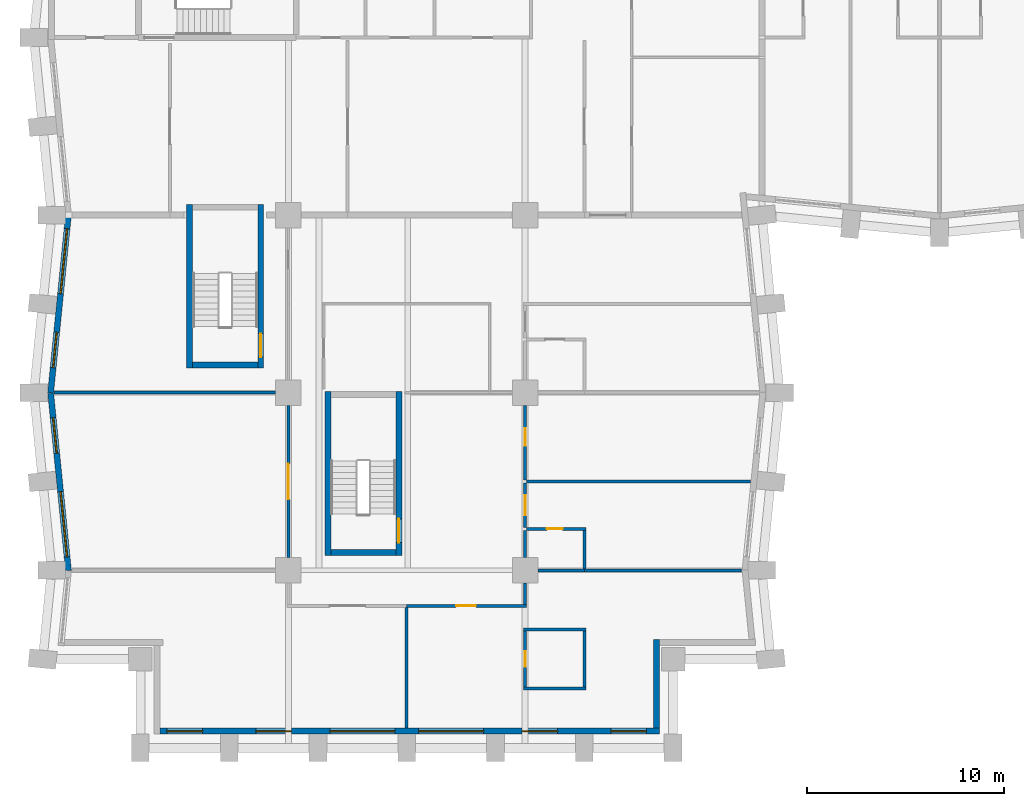
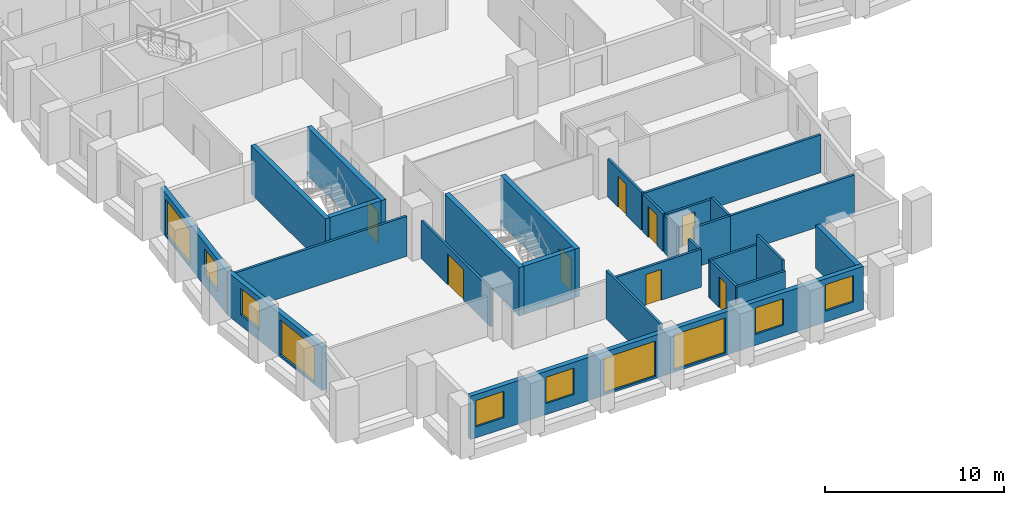
# One storey, part 3 of 12: 27 walls, 10 windows, 8 doors, 18 openings.
"""IFC4 building model written with IfcOpenShell, lengths in metres."""

from ifc_helpers import new_model, si_unit, direction, frame, frame_2d, origin, place, context, subcontext, project, spatial, rectangle, extrude, material, layer, layer_set, type_object, element, fill, save


model = new_model("IFC4")

# Units and contexts
model_context = context("Model", 3, precision=1e-05, world=origin(), true_north=direction((0.0, 1.0)))
body_context = subcontext(model_context, "Body", "Model", "MODEL_VIEW")
ifc_project = project(units=[si_unit("LENGTHUNIT", "METRE"), si_unit("AREAUNIT", "SQUARE_METRE"), si_unit("VOLUMEUNIT", "CUBIC_METRE"), si_unit("PLANEANGLEUNIT", "RADIAN"), si_unit("MASSUNIT", "GRAM", prefix="KILO")], contexts=[model_context])

# Site, building, storey
site_placement = place(None, origin())
site = spatial("IfcSite", under=ifc_project, at=site_placement, CompositionType="ELEMENT")
building_placement = place(site_placement, origin())
building = spatial("IfcBuilding", under=site, at=building_placement, Name="Brondeck Convention Tower", CompositionType="ELEMENT")
storey_placement = place(building_placement, frame((0.0, 0.0, 80.699951171875)))
storey = spatial("IfcBuildingStorey", under=building, at=storey_placement, Name="L18", CompositionType="ELEMENT", Elevation=80.699951171875)

# Wall, openings, windows
ifc_material_1 = material(Name="Precast concrete C50/60 bronze finish", Category="concrete")
ifc_layer_1 = layer(ifc_material_1, 0.070068359375, Name="Bronze precast facing")
ifc_material_2 = material(Name="Mineral wool")
ifc_layer_2 = layer(ifc_material_2, 0.159912109375, Name="Insulation")
ifc_material_3 = material(Name="Concrete C35/45", Category="concrete")
ifc_layer_3 = layer(ifc_material_3, 0.070068359375, Name="Backing")
ifc_layer_set_1 = layer_set([ifc_layer_1, ifc_layer_2, ifc_layer_3], Name="External infill wall, precast concrete C50/60 bronze facing")
wall_type_1 = type_object("IfcWallType", Name="External infill wall, precast concrete C50/60 bronze facing", PredefinedType="SOLIDWALL", material=ifc_layer_set_1)
wall_1_placement = place(storey_placement, frame((30.800048828125, 0.85009765625, 0.0), z_axis=(0.0, 0.0, 1.0), x_axis=(-1.0, 0.0, 0.0)))
wall_1 = element("IfcWall", 1, at=wall_1_placement, inside=storey, type_object=wall_type_1, Name="ENV-EW-L18-P0-B-S0-01", PredefinedType="SOLIDWALL", context=body_context, shape_type="SweptSolid", body=[
    extrude(rectangle(XDim=25.300048828125, YDim=0.300048828125, at=frame_2d((12.64990234375, 0.0))), origin(), (0.0, 0.0, 1.0), 2.949951171875),
])
opening_1_placement = place(wall_1_placement, frame((0.64990234375, 0.0, 0.75)))
opening_1 = element("IfcOpeningElement", 2, at=opening_1_placement, cuts=wall_1, Name="Opening W10", PredefinedType="OPENING", context=body_context, shape_type="SweptSolid", body=[
    extrude(rectangle(XDim=1.800048828125, YDim=1.800048828125, at=frame_2d((0.89990234375, 0.89990234375))), frame((0.0, 0.159912109375, 0.0), z_axis=(0.0, -1.0, 0.0), x_axis=(1.0, 0.0, 0.0)), (0.0, 0.0, 1.0), 0.320068359375),
])
opening_2_placement = place(wall_1_placement, frame((5.14990234375, 0.0, 0.75)))
opening_2 = element("IfcOpeningElement", 3, at=opening_2_placement, cuts=wall_1, Name="Opening W10", PredefinedType="OPENING", context=body_context, shape_type="SweptSolid", body=[
    extrude(rectangle(XDim=1.800048828125, YDim=1.800048828125, at=frame_2d((0.89990234375, 0.89990234375))), frame((0.0, 0.159912109375, 0.0), z_axis=(0.0, -1.0, 0.0), x_axis=(1.0, 0.0, 0.0)), (0.0, 0.0, 1.0), 0.320068359375),
])
opening_3_placement = place(wall_1_placement, frame((8.89990234375, 0.0, 0.14990234375)))
opening_3 = element("IfcOpeningElement", 4, at=opening_3_placement, cuts=wall_1, Name="Opening W9", PredefinedType="OPENING", context=body_context, shape_type="SweptSolid", body=[
    extrude(rectangle(XDim=3.300048828125, YDim=2.39990234375, at=frame_2d((1.64990234375, 1.199951171875))), frame((0.0, 0.159912109375, 0.0), z_axis=(0.0, -1.0, 0.0), x_axis=(1.0, 0.0, 0.0)), (0.0, 0.0, 1.0), 0.320068359375),
])
opening_4_placement = place(wall_1_placement, frame((13.39990234375, 0.0, 0.14990234375)))
opening_4 = element("IfcOpeningElement", 5, at=opening_4_placement, cuts=wall_1, Name="Opening W9", PredefinedType="OPENING", context=body_context, shape_type="SweptSolid", body=[
    extrude(rectangle(XDim=3.300048828125, YDim=2.39990234375, at=frame_2d((1.64990234375, 1.199951171875))), frame((0.0, 0.159912109375, 0.0), z_axis=(0.0, -1.0, 0.0), x_axis=(1.0, 0.0, 0.0)), (0.0, 0.0, 1.0), 0.320068359375),
])
opening_5_placement = place(wall_1_placement, frame((18.64990234375, 0.0, 0.75)))
opening_5 = element("IfcOpeningElement", 6, at=opening_5_placement, cuts=wall_1, Name="Opening W10", PredefinedType="OPENING", context=body_context, shape_type="SweptSolid", body=[
    extrude(rectangle(XDim=1.800048828125, YDim=1.800048828125, at=frame_2d((0.89990234375, 0.89990234375))), frame((0.0, 0.159912109375, 0.0), z_axis=(0.0, -1.0, 0.0), x_axis=(1.0, 0.0, 0.0)), (0.0, 0.0, 1.0), 0.320068359375),
])
opening_6_placement = place(wall_1_placement, frame((23.14990234375, 0.0, 0.75)))
opening_6 = element("IfcOpeningElement", 7, at=opening_6_placement, cuts=wall_1, Name="Opening W10", PredefinedType="OPENING", context=body_context, shape_type="SweptSolid", body=[
    extrude(rectangle(XDim=1.800048828125, YDim=1.800048828125, at=frame_2d((0.89990234375, 0.89990234375))), frame((0.0, 0.159912109375, 0.0), z_axis=(0.0, -1.0, 0.0), x_axis=(1.0, 0.0, 0.0)), (0.0, 0.0, 1.0), 0.320068359375),
])
ifc_material_4 = material(Name="Bronze tinted double glazing", Category="glass")
window_type_1 = type_object("IfcWindowType", Name="Glazed flute window, bronze tinted", PartitioningType="SINGLE_PANEL", PredefinedType="WINDOW", material=ifc_material_4)
window_1_placement = place(opening_3_placement, origin())
window_1 = element("IfcWindow", 8, at=window_1_placement, inside=storey, type_object=window_type_1, Name="ENV-WN-L18-P0-B-S0-04", OverallHeight=2.39990234375, OverallWidth=3.300048828125, PartitioningType="SINGLE_PANEL", PredefinedType="WINDOW", context=body_context, shape_type="SweptSolid", body=[
    extrude(rectangle(XDim=3.300048828125, YDim=2.39990234375, at=frame_2d((1.64990234375, 1.199951171875))), frame((0.0, 0.030029296875, 0.0), z_axis=(0.0, -1.0, 0.0), x_axis=(1.0, 0.0, 0.0)), (0.0, 0.0, 1.0), 0.06005859375),
])
fill(opening_3, window_1)
window_2_placement = place(opening_4_placement, origin())
window_2 = element("IfcWindow", 9, at=window_2_placement, inside=storey, type_object=window_type_1, Name="ENV-WN-L18-P0-B-S0-03", OverallHeight=2.39990234375, OverallWidth=3.300048828125, PartitioningType="SINGLE_PANEL", PredefinedType="WINDOW", context=body_context, shape_type="SweptSolid", body=[
    extrude(rectangle(XDim=3.300048828125, YDim=2.39990234375, at=frame_2d((1.64990234375, 1.199951171875))), frame((0.0, 0.030029296875, 0.0), z_axis=(0.0, -1.0, 0.0), x_axis=(1.0, 0.0, 0.0)), (0.0, 0.0, 1.0), 0.06005859375),
])
fill(opening_4, window_2)
window_type_2 = type_object("IfcWindowType", Name="Punched window, bronze tinted", PartitioningType="SINGLE_PANEL", PredefinedType="WINDOW", material=ifc_material_4)
window_3_placement = place(opening_1_placement, origin())
window_3 = element("IfcWindow", 10, at=window_3_placement, inside=storey, type_object=window_type_2, Name="ENV-WN-L18-P0-B-S0-06", OverallHeight=1.800048828125, OverallWidth=1.800048828125, PartitioningType="SINGLE_PANEL", PredefinedType="WINDOW", context=body_context, shape_type="SweptSolid", body=[
    extrude(rectangle(XDim=1.800048828125, YDim=1.800048828125, at=frame_2d((0.89990234375, 0.89990234375))), frame((0.0, 0.030029296875, 0.0), z_axis=(0.0, -1.0, 0.0), x_axis=(1.0, 0.0, 0.0)), (0.0, 0.0, 1.0), 0.06005859375),
])
fill(opening_1, window_3)
window_4_placement = place(opening_2_placement, origin())
window_4 = element("IfcWindow", 11, at=window_4_placement, inside=storey, type_object=window_type_2, Name="ENV-WN-L18-P0-B-S0-05", OverallHeight=1.800048828125, OverallWidth=1.800048828125, PartitioningType="SINGLE_PANEL", PredefinedType="WINDOW", context=body_context, shape_type="SweptSolid", body=[
    extrude(rectangle(XDim=1.800048828125, YDim=1.800048828125, at=frame_2d((0.89990234375, 0.89990234375))), frame((0.0, 0.030029296875, 0.0), z_axis=(0.0, -1.0, 0.0), x_axis=(1.0, 0.0, 0.0)), (0.0, 0.0, 1.0), 0.06005859375),
])
fill(opening_2, window_4)
window_5_placement = place(opening_5_placement, origin())
window_5 = element("IfcWindow", 12, at=window_5_placement, inside=storey, type_object=window_type_2, Name="ENV-WN-L18-P0-B-S0-02", OverallHeight=1.800048828125, OverallWidth=1.800048828125, PartitioningType="SINGLE_PANEL", PredefinedType="WINDOW", context=body_context, shape_type="SweptSolid", body=[
    extrude(rectangle(XDim=1.800048828125, YDim=1.800048828125, at=frame_2d((0.89990234375, 0.89990234375))), frame((0.0, 0.030029296875, 0.0), z_axis=(0.0, -1.0, 0.0), x_axis=(1.0, 0.0, 0.0)), (0.0, 0.0, 1.0), 0.06005859375),
])
fill(opening_5, window_5)
window_6_placement = place(opening_6_placement, origin())
window_6 = element("IfcWindow", 13, at=window_6_placement, inside=storey, type_object=window_type_2, Name="ENV-WN-L18-P0-B-S0-01", OverallHeight=1.800048828125, OverallWidth=1.800048828125, PartitioningType="SINGLE_PANEL", PredefinedType="WINDOW", context=body_context, shape_type="SweptSolid", body=[
    extrude(rectangle(XDim=1.800048828125, YDim=1.800048828125, at=frame_2d((0.89990234375, 0.89990234375))), frame((0.0, 0.030029296875, 0.0), z_axis=(0.0, -1.0, 0.0), x_axis=(1.0, 0.0, 0.0)), (0.0, 0.0, 1.0), 0.06005859375),
])
fill(opening_6, window_6)

# Wall
wall_2_placement = place(storey_placement, frame((30.64990234375, 5.5, 0.0), z_axis=(0.0, 0.0, 1.0), x_axis=(0.0, -1.0, 0.0)))
element("IfcWall", 14, at=wall_2_placement, inside=storey, type_object=wall_type_1, Name="ENV-EW-L18-P0-NC-SEB0-01", PredefinedType="SOLIDWALL", context=body_context, shape_type="SweptSolid", body=[
    extrude(rectangle(XDim=4.501953125, YDim=0.300048828125, at=frame_2d((2.2509765625, 0.0))), origin(), (0.0, 0.0, 1.0), 2.949951171875),
])

# Wall, openings, windows
wall_3_placement = place(storey_placement, frame((-0.04736328125, 17.985107421875, 0.0), z_axis=(0.0, 0.0, 1.0), x_axis=(0.099522457379, 0.995035316196, 0.0)))
wall_3 = element("IfcWall", 15, at=wall_3_placement, inside=storey, type_object=wall_type_1, Name="ENV-EW-L18-P0-B-W-08", PredefinedType="SOLIDWALL", context=body_context, shape_type="SweptSolid", body=[
    extrude(rectangle(XDim=9.030029296875, YDim=0.300048828125, at=frame_2d((4.51513671875, 0.0))), origin(), (0.0, 0.0, 1.0), 2.949951171875),
])
opening_7_placement = place(wall_3_placement, frame((1.291259765625, 0.0, 0.75)))
opening_7 = element("IfcOpeningElement", 16, at=opening_7_placement, cuts=wall_3, Name="Opening W10", PredefinedType="OPENING", context=body_context, shape_type="SweptSolid", body=[
    extrude(rectangle(XDim=1.800048828125, YDim=1.800048828125, at=frame_2d((0.89990234375, 0.89990234375))), frame((0.0, 0.159912109375, 0.0), z_axis=(0.0, -1.0, 0.0), x_axis=(1.0, 0.0, 0.0)), (0.0, 0.0, 1.0), 0.320068359375),
])
opening_8_placement = place(wall_3_placement, frame((5.063720703125, 0.0, 0.14990234375)))
opening_8 = element("IfcOpeningElement", 17, at=opening_8_placement, cuts=wall_3, Name="Opening W9", PredefinedType="OPENING", context=body_context, shape_type="SweptSolid", body=[
    extrude(rectangle(XDim=3.300048828125, YDim=2.39990234375, at=frame_2d((1.64990234375, 1.199951171875))), frame((0.0, 0.159912109375, 0.0), z_axis=(0.0, -1.0, 0.0), x_axis=(1.0, 0.0, 0.0)), (0.0, 0.0, 1.0), 0.320068359375),
])
window_7_placement = place(opening_8_placement, origin())
window_7 = element("IfcWindow", 18, at=window_7_placement, inside=storey, type_object=window_type_1, Name="ENV-WN-L18-P0-B-W-08", OverallHeight=2.39990234375, OverallWidth=3.300048828125, PartitioningType="SINGLE_PANEL", PredefinedType="WINDOW", context=body_context, shape_type="SweptSolid", body=[
    extrude(rectangle(XDim=3.300048828125, YDim=2.39990234375, at=frame_2d((1.64990234375, 1.199951171875))), frame((0.0, 0.030029296875, 0.0), z_axis=(0.0, -1.0, 0.0), x_axis=(1.0, 0.0, 0.0)), (0.0, 0.0, 1.0), 0.06005859375),
])
fill(opening_8, window_7)
window_8_placement = place(opening_7_placement, origin())
window_8 = element("IfcWindow", 19, at=window_8_placement, inside=storey, type_object=window_type_2, Name="ENV-WN-L18-P0-B-W-09", OverallHeight=1.800048828125, OverallWidth=1.800048828125, PartitioningType="SINGLE_PANEL", PredefinedType="WINDOW", context=body_context, shape_type="SweptSolid", body=[
    extrude(rectangle(XDim=1.800048828125, YDim=1.800048828125, at=frame_2d((0.89990234375, 0.89990234375))), frame((0.0, 0.030029296875, 0.0), z_axis=(0.0, -1.0, 0.0), x_axis=(1.0, 0.0, 0.0)), (0.0, 0.0, 1.0), 0.06005859375),
])
fill(opening_7, window_8)

wall_4_placement = place(storey_placement, frame((0.855712890625, 8.985107421875, 0.0), z_axis=(0.0, 0.0, 1.0), x_axis=(-0.099495688264, 0.995037993253, 0.0)))
wall_4 = element("IfcWall", 20, at=wall_4_placement, inside=storey, type_object=wall_type_1, Name="ENV-EW-L18-P0-B-W-10", PredefinedType="SOLIDWALL", context=body_context, shape_type="SweptSolid", body=[
    extrude(rectangle(XDim=9.030029296875, YDim=0.300048828125, at=frame_2d((4.51513671875, 0.0))), origin(), (0.0, 0.0, 1.0), 2.949951171875),
])
opening_9_placement = place(wall_4_placement, frame((0.711181640625, 0.0, 0.14990234375)))
opening_9 = element("IfcOpeningElement", 21, at=opening_9_placement, cuts=wall_4, Name="Opening W9", PredefinedType="OPENING", context=body_context, shape_type="SweptSolid", body=[
    extrude(rectangle(XDim=3.300048828125, YDim=2.39990234375, at=frame_2d((1.64990234375, 1.199951171875))), frame((0.0, 0.159912109375, 0.0), z_axis=(0.0, -1.0, 0.0), x_axis=(1.0, 0.0, 0.0)), (0.0, 0.0, 1.0), 0.320068359375),
])
opening_10_placement = place(wall_4_placement, frame((5.983642578125, 0.0, 0.75)))
opening_10 = element("IfcOpeningElement", 22, at=opening_10_placement, cuts=wall_4, Name="Opening W10", PredefinedType="OPENING", context=body_context, shape_type="SweptSolid", body=[
    extrude(rectangle(XDim=1.800048828125, YDim=1.800048828125, at=frame_2d((0.89990234375, 0.89990234375))), frame((0.0, 0.159912109375, 0.0), z_axis=(0.0, -1.0, 0.0), x_axis=(1.0, 0.0, 0.0)), (0.0, 0.0, 1.0), 0.320068359375),
])
window_9_placement = place(opening_9_placement, origin())
window_9 = element("IfcWindow", 23, at=window_9_placement, inside=storey, type_object=window_type_1, Name="ENV-WN-L18-P0-B-W-11", OverallHeight=2.39990234375, OverallWidth=3.300048828125, PartitioningType="SINGLE_PANEL", PredefinedType="WINDOW", context=body_context, shape_type="SweptSolid", body=[
    extrude(rectangle(XDim=3.300048828125, YDim=2.39990234375, at=frame_2d((1.64990234375, 1.199951171875))), frame((0.0, 0.030029296875, 0.0), z_axis=(0.0, -1.0, 0.0), x_axis=(1.0, 0.0, 0.0)), (0.0, 0.0, 1.0), 0.06005859375),
])
fill(opening_9, window_9)
window_10_placement = place(opening_10_placement, origin())
window_10 = element("IfcWindow", 24, at=window_10_placement, inside=storey, type_object=window_type_2, Name="ENV-WN-L18-P0-B-W-10", OverallHeight=1.800048828125, OverallWidth=1.800048828125, PartitioningType="SINGLE_PANEL", PredefinedType="WINDOW", context=body_context, shape_type="SweptSolid", body=[
    extrude(rectangle(XDim=1.800048828125, YDim=1.800048828125, at=frame_2d((0.89990234375, 0.89990234375))), frame((0.0, 0.030029296875, 0.0), z_axis=(0.0, -1.0, 0.0), x_axis=(1.0, 0.0, 0.0)), (0.0, 0.0, 1.0), 0.06005859375),
])
fill(opening_10, window_10)

# Walls
ifc_material_5 = material(Name="Double gypsum board acoustic wall")
ifc_layer_4 = layer(ifc_material_5, 0.14990234375)
ifc_layer_set_2 = layer_set([ifc_layer_4], Name="Guest room party wall 150")
wall_type_2 = type_object("IfcWallType", Name="Guest room party wall 150", PredefinedType="PARTITIONING", material=ifc_layer_set_2)
wall_5_placement = place(storey_placement, frame((23.925048828125, 3.0, 0.0), z_axis=(0.0, 0.0, 1.0), x_axis=(1.0, 0.0, 0.0)))
element("IfcWall", 25, at=wall_5_placement, inside=storey, type_object=wall_type_2, Name="FLR-L18-W001", PredefinedType="PARTITIONING", context=body_context, shape_type="SweptSolid", body=[
    extrude(rectangle(XDim=3.14990234375, YDim=0.14990234375, at=frame_2d((1.574951171875, 0.0))), origin(), (0.0, 0.0, 1.0), 2.580078125),
])
wall_6_placement = place(storey_placement, frame((27.0, 3.074951171875, 0.0), z_axis=(0.0, 0.0, 1.0), x_axis=(0.0, 1.0, 0.0)))
element("IfcWall", 26, at=wall_6_placement, inside=storey, type_object=wall_type_2, Name="FLR-L18-W002", PredefinedType="PARTITIONING", context=body_context, shape_type="SweptSolid", body=[
    extrude(rectangle(XDim=2.85009765625, YDim=0.14990234375, at=frame_2d((1.425048828125, 0.0))), origin(), (0.0, 0.0, 1.0), 3.280029296875),
])

# Wall, opening, door
wall_7_placement = place(storey_placement, frame((24.0, 5.925048828125, 0.0), z_axis=(0.0, 0.0, 1.0), x_axis=(0.0, -1.0, 0.0)))
wall_7 = element("IfcWall", 27, at=wall_7_placement, inside=storey, type_object=wall_type_2, Name="FLR-L18-W003", PredefinedType="PARTITIONING", context=body_context, shape_type="SweptSolid", body=[
    extrude(rectangle(XDim=2.85009765625, YDim=0.14990234375, at=frame_2d((1.425048828125, 0.0))), origin(), (0.0, 0.0, 1.0), 2.580078125),
])
opening_11_placement = place(wall_7_placement, frame((1.02490234375, 0.0, 0.0)))
opening_11 = element("IfcOpeningElement", 28, at=opening_11_placement, cuts=wall_7, Name="Opening H5-032", PredefinedType="OPENING", context=body_context, shape_type="SweptSolid", body=[
    extrude(rectangle(XDim=0.800048828125, YDim=2.10009765625, at=frame_2d((0.39990234375, 1.050048828125))), frame((0.0, 0.0849609375, 0.0), z_axis=(0.0, -1.0, 0.0), x_axis=(1.0, 0.0, 0.0)), (0.0, 0.0, 1.0), 0.169921875),
])
ifc_material_6 = material(Name="Solid timber door leaf", Category="wood")
door_type_1 = type_object("IfcDoorType", Name="En-suite door 800", OperationType="NOTDEFINED", PredefinedType="DOOR", material=ifc_material_6)
door_1_placement = place(opening_11_placement, origin())
door_1 = element("IfcDoor", 29, at=door_1_placement, inside=storey, type_object=door_type_1, Name="Door H5-032", OperationType="SINGLE_SWING_RIGHT", OverallHeight=2.10009765625, OverallWidth=0.800048828125, PredefinedType="DOOR", context=body_context, shape_type="SweptSolid", body=[
    extrude(rectangle(XDim=0.800048828125, YDim=2.10009765625, at=frame_2d((0.39990234375, 1.050048828125))), frame((0.0, 0.02490234375, 0.0), z_axis=(0.0, -1.0, 0.0), x_axis=(1.0, 0.0, 0.0)), (0.0, 0.0, 1.0), 0.050048828125),
])
fill(opening_11, door_1)

# Walls
wall_8_placement = place(storey_placement, frame((27.074951171875, 6.0, 0.0), z_axis=(0.0, 0.0, 1.0), x_axis=(-1.0, 0.0, 0.0)))
element("IfcWall", 30, at=wall_8_placement, inside=storey, type_object=wall_type_2, Name="FLR-L18-W004", PredefinedType="PARTITIONING", context=body_context, shape_type="SweptSolid", body=[
    extrude(rectangle(XDim=3.14990234375, YDim=0.14990234375, at=frame_2d((1.574951171875, 0.0))), origin(), (0.0, 0.0, 1.0), 2.580078125),
])
wall_9_placement = place(storey_placement, frame((18.0, 7.125, 0.0), z_axis=(0.0, 0.0, 1.0), x_axis=(0.0, -1.0, 0.0)))
element("IfcWall", 31, at=wall_9_placement, inside=storey, type_object=wall_type_2, Name="FLR-L18-W005", PredefinedType="PARTITIONING", context=body_context, shape_type="SweptSolid", body=[
    extrude(rectangle(XDim=6.10498046875, YDim=0.14990234375, at=frame_2d((3.052490234375, 0.0))), origin(), (0.0, 0.0, 1.0), 3.280029296875),
])

# Wall, opening, door
wall_10_placement = place(storey_placement, frame((24.074951171875, 7.199951171875, 0.0), z_axis=(0.0, 0.0, 1.0), x_axis=(-1.0, 0.0, 0.0)))
wall_10 = element("IfcWall", 32, at=wall_10_placement, inside=storey, type_object=wall_type_2, Name="FLR-L18-W007", PredefinedType="PARTITIONING", context=body_context, shape_type="SweptSolid", body=[
    extrude(rectangle(XDim=6.074951171875, YDim=0.14990234375, at=frame_2d((3.03759765625, 0.0))), origin(), (0.0, 0.0, 1.0), 2.580078125),
])
opening_12_placement = place(wall_10_placement, frame((2.574951171875, 0.0, 0.0)))
opening_12 = element("IfcOpeningElement", 33, at=opening_12_placement, cuts=wall_10, Name="Opening H5-031", PredefinedType="OPENING", context=body_context, shape_type="SweptSolid", body=[
    extrude(rectangle(XDim=1.0, YDim=2.10009765625, at=frame_2d((0.5, 1.050048828125))), frame((0.0, 0.0849609375, 0.0), z_axis=(0.0, -1.0, 0.0), x_axis=(1.0, 0.0, 0.0)), (0.0, 0.0, 1.0), 0.169921875),
])
ifc_material_7 = material(Name="Solid timber fire door leaf", Category="wood")
door_type_2 = type_object("IfcDoorType", Name="Guest room door 1000", OperationType="NOTDEFINED", PredefinedType="DOOR", material=ifc_material_7)
door_2_placement = place(opening_12_placement, origin())
door_2 = element("IfcDoor", 34, at=door_2_placement, inside=storey, type_object=door_type_2, Name="Door H5-031", OperationType="SINGLE_SWING_LEFT", OverallHeight=2.10009765625, OverallWidth=1.0, PredefinedType="DOOR", context=body_context, shape_type="SweptSolid", body=[
    extrude(rectangle(XDim=1.0, YDim=2.10009765625, at=frame_2d((0.5, 1.050048828125))), frame((0.0, 0.02490234375, 0.0), z_axis=(0.0, -1.0, 0.0), x_axis=(1.0, 0.0, 0.0)), (0.0, 0.0, 1.0), 0.050048828125),
])
fill(opening_12, door_2)

# Walls
wall_11_placement = place(storey_placement, frame((24.0, 8.344970703125, 0.0), z_axis=(0.0, 0.0, 1.0), x_axis=(0.0, -1.0, 0.0)))
element("IfcWall", 35, at=wall_11_placement, inside=storey, type_object=wall_type_2, Name="FLR-L18-W009", PredefinedType="PARTITIONING", context=body_context, shape_type="SweptSolid", body=[
    extrude(rectangle(XDim=1.070068359375, YDim=0.14990234375, at=frame_2d((0.53515625, 0.0))), origin(), (0.0, 0.0, 1.0), 2.580078125),
])
wall_12_placement = place(storey_placement, frame((27.0, 9.0, 0.0), z_axis=(0.0, 0.0, 1.0), x_axis=(-1.0, 0.0, 0.0)))
element("IfcWall", 36, at=wall_12_placement, inside=storey, type_object=wall_type_2, Name="FLR-L18-W011", PredefinedType="PARTITIONING", context=body_context, shape_type="SweptSolid", body=[
    extrude(rectangle(XDim=2.344970703125, YDim=0.14990234375, at=frame_2d((1.17236328125, 0.0))), origin(), (0.0, 0.0, 1.0), 2.72998046875),
])
wall_13_placement = place(storey_placement, frame((34.97509765625, 9.0, 0.0), z_axis=(0.0, 0.0, 1.0), x_axis=(-1.0, 0.0, 0.0)))
element("IfcWall", 37, at=wall_13_placement, inside=storey, type_object=wall_type_2, Name="FLR-L18-W012", PredefinedType="PARTITIONING", context=body_context, shape_type="SweptSolid", body=[
    extrude(rectangle(XDim=7.97509765625, YDim=0.14990234375, at=frame_2d((3.987548828125, 0.0))), origin(), (0.0, 0.0, 1.0), 2.72998046875),
])
wall_14_placement = place(storey_placement, frame((27.0, 9.074951171875, 0.0), z_axis=(0.0, 0.0, 1.0), x_axis=(0.0, 1.0, 0.0)))
element("IfcWall", 38, at=wall_14_placement, inside=storey, type_object=wall_type_2, Name="FLR-L18-W013", PredefinedType="PARTITIONING", context=body_context, shape_type="SweptSolid", body=[
    extrude(rectangle(XDim=1.949951171875, YDim=0.14990234375, at=frame_2d((0.97509765625, 0.0))), origin(), (0.0, 0.0, 1.0), 2.72998046875),
])

# Wall, opening, door
wall_15_placement = place(storey_placement, frame((12.0, 9.655029296875, 0.0), z_axis=(0.0, 0.0, 1.0), x_axis=(0.0, 1.0, 0.0)))
wall_15 = element("IfcWall", 39, at=wall_15_placement, inside=storey, type_object=wall_type_2, Name="FLR-L18-W014", PredefinedType="PARTITIONING", context=body_context, shape_type="SweptSolid", body=[
    extrude(rectangle(XDim=7.68994140625, YDim=0.14990234375, at=frame_2d((3.844970703125, 0.0))), origin(), (0.0, 0.0, 1.0), 2.580078125),
])
opening_13_placement = place(wall_15_placement, frame((2.945068359375, 0.0, 0.0)))
opening_13 = element("IfcOpeningElement", 40, at=opening_13_placement, cuts=wall_15, Name="Opening H5-023", PredefinedType="OPENING", context=body_context, shape_type="SweptSolid", body=[
    extrude(rectangle(XDim=1.800048828125, YDim=2.10009765625, at=frame_2d((0.89990234375, 1.050048828125))), frame((0.0, 0.0849609375, 0.0), z_axis=(0.0, -1.0, 0.0), x_axis=(1.0, 0.0, 0.0)), (0.0, 0.0, 1.0), 0.169921875),
])
ifc_material_8 = material(Name="Glazed timber double door", Category="wood")
door_type_3 = type_object("IfcDoorType", Name="Double door 1800", OperationType="DOUBLE_DOOR_SINGLE_SWING", PredefinedType="DOOR", material=ifc_material_8)
door_3_placement = place(opening_13_placement, origin())
door_3 = element("IfcDoor", 41, at=door_3_placement, inside=storey, type_object=door_type_3, Name="Door H5-023", OperationType="DOUBLE_DOOR_SINGLE_SWING", OverallHeight=2.10009765625, OverallWidth=1.800048828125, PredefinedType="DOOR", context=body_context, shape_type="SweptSolid", body=[
    extrude(rectangle(XDim=1.800048828125, YDim=2.10009765625, at=frame_2d((0.89990234375, 1.050048828125))), frame((0.0, 0.02490234375, 0.0), z_axis=(0.0, -1.0, 0.0), x_axis=(1.0, 0.0, 0.0)), (0.0, 0.0, 1.0), 0.050048828125),
])
fill(opening_13, door_3)

# Wall
wall_16_placement = place(storey_placement, frame((24.0, 11.02490234375, 0.0), z_axis=(0.0, 0.0, 1.0), x_axis=(0.0, -1.0, 0.0)))
element("IfcWall", 42, at=wall_16_placement, inside=storey, type_object=wall_type_2, Name="FLR-L18-W015", PredefinedType="PARTITIONING", context=body_context, shape_type="SweptSolid", body=[
    extrude(rectangle(XDim=1.369873046875, YDim=0.14990234375, at=frame_2d((0.68505859375, 0.0))), origin(), (0.0, 0.0, 1.0), 2.580078125),
])

# Wall, opening, door
wall_17_placement = place(storey_placement, frame((27.074951171875, 11.10009765625, 0.0), z_axis=(0.0, 0.0, 1.0), x_axis=(-1.0, 0.0, 0.0)))
wall_17 = element("IfcWall", 43, at=wall_17_placement, inside=storey, type_object=wall_type_2, Name="FLR-L18-W016", PredefinedType="PARTITIONING", context=body_context, shape_type="SweptSolid", body=[
    extrude(rectangle(XDim=3.0, YDim=0.14990234375, at=frame_2d((1.5, 0.0))), origin(), (0.0, 0.0, 1.0), 2.580078125),
])
opening_14_placement = place(wall_17_placement, frame((1.175048828125, 0.0, 0.0)))
opening_14 = element("IfcOpeningElement", 44, at=opening_14_placement, cuts=wall_17, Name="Opening H5-028", PredefinedType="OPENING", context=body_context, shape_type="SweptSolid", body=[
    extrude(rectangle(XDim=0.800048828125, YDim=2.10009765625, at=frame_2d((0.39990234375, 1.050048828125))), frame((0.0, 0.0849609375, 0.0), z_axis=(0.0, -1.0, 0.0), x_axis=(1.0, 0.0, 0.0)), (0.0, 0.0, 1.0), 0.169921875),
])
door_4_placement = place(opening_14_placement, origin())
door_4 = element("IfcDoor", 45, at=door_4_placement, inside=storey, type_object=door_type_1, Name="Door H5-028", OperationType="SINGLE_SWING_LEFT", OverallHeight=2.10009765625, OverallWidth=0.800048828125, PredefinedType="DOOR", context=body_context, shape_type="SweptSolid", body=[
    extrude(rectangle(XDim=0.800048828125, YDim=2.10009765625, at=frame_2d((0.39990234375, 1.050048828125))), frame((0.0, 0.02490234375, 0.0), z_axis=(0.0, -1.0, 0.0), x_axis=(1.0, 0.0, 0.0)), (0.0, 0.0, 1.0), 0.050048828125),
])
fill(opening_14, door_4)

wall_18_placement = place(storey_placement, frame((24.0, 13.425048828125, 0.0), z_axis=(0.0, 0.0, 1.0), x_axis=(0.0, -1.0, 0.0)))
wall_18 = element("IfcWall", 46, at=wall_18_placement, inside=storey, type_object=wall_type_2, Name="FLR-L18-W017", PredefinedType="PARTITIONING", context=body_context, shape_type="SweptSolid", body=[
    extrude(rectangle(XDim=2.25, YDim=0.14990234375, at=frame_2d((1.125, 0.0))), origin(), (0.0, 0.0, 1.0), 2.580078125),
])
opening_15_placement = place(wall_18_placement, frame((0.625, 0.0, 0.0)))
opening_15 = element("IfcOpeningElement", 47, at=opening_15_placement, cuts=wall_18, Name="Opening H5-027", PredefinedType="OPENING", context=body_context, shape_type="SweptSolid", body=[
    extrude(rectangle(XDim=1.0, YDim=2.10009765625, at=frame_2d((0.5, 1.050048828125))), frame((0.0, 0.0849609375, 0.0), z_axis=(0.0, -1.0, 0.0), x_axis=(1.0, 0.0, 0.0)), (0.0, 0.0, 1.0), 0.169921875),
])
door_5_placement = place(opening_15_placement, origin())
door_5 = element("IfcDoor", 48, at=door_5_placement, inside=storey, type_object=door_type_2, Name="Door H5-027", OperationType="SINGLE_SWING_LEFT", OverallHeight=2.10009765625, OverallWidth=1.0, PredefinedType="DOOR", context=body_context, shape_type="SweptSolid", body=[
    extrude(rectangle(XDim=1.0, YDim=2.10009765625, at=frame_2d((0.5, 1.050048828125))), frame((0.0, 0.02490234375, 0.0), z_axis=(0.0, -1.0, 0.0), x_axis=(1.0, 0.0, 0.0)), (0.0, 0.0, 1.0), 0.050048828125),
])
fill(opening_15, door_5)

# Wall
wall_19_placement = place(storey_placement, frame((35.425048828125, 13.5, 0.0), z_axis=(0.0, 0.0, 1.0), x_axis=(-1.0, 0.0, 0.0)))
element("IfcWall", 49, at=wall_19_placement, inside=storey, type_object=wall_type_2, Name="FLR-L18-W018", PredefinedType="PARTITIONING", context=body_context, shape_type="SweptSolid", body=[
    extrude(rectangle(XDim=11.35009765625, YDim=0.14990234375, at=frame_2d((5.675048828125, 0.0))), origin(), (0.0, 0.0, 1.0), 2.580078125),
])

# Wall, opening, door
wall_20_placement = place(storey_placement, frame((24.0, 17.344970703125, 0.0), z_axis=(0.0, 0.0, 1.0), x_axis=(0.0, -1.0, 0.0)))
wall_20 = element("IfcWall", 50, at=wall_20_placement, inside=storey, type_object=wall_type_2, Name="FLR-L18-W019", PredefinedType="PARTITIONING", context=body_context, shape_type="SweptSolid", body=[
    extrude(rectangle(XDim=3.77001953125, YDim=0.14990234375, at=frame_2d((1.885009765625, 0.0))), origin(), (0.0, 0.0, 1.0), 2.580078125),
])
opening_16_placement = place(wall_20_placement, frame((1.14501953125, 0.0, 0.0)))
opening_16 = element("IfcOpeningElement", 51, at=opening_16_placement, cuts=wall_20, Name="Opening H5-026", PredefinedType="OPENING", context=body_context, shape_type="SweptSolid", body=[
    extrude(rectangle(XDim=0.89990234375, YDim=2.10009765625, at=frame_2d((0.449951171875, 1.050048828125))), frame((0.0, 0.0849609375, 0.0), z_axis=(0.0, -1.0, 0.0), x_axis=(1.0, 0.0, 0.0)), (0.0, 0.0, 1.0), 0.169921875),
])
door_type_4 = type_object("IfcDoorType", Name="Single door 900", OperationType="NOTDEFINED", PredefinedType="DOOR", material=ifc_material_6)
door_6_placement = place(opening_16_placement, origin())
door_6 = element("IfcDoor", 52, at=door_6_placement, inside=storey, type_object=door_type_4, Name="Door H5-026", OperationType="SINGLE_SWING_LEFT", OverallHeight=2.10009765625, OverallWidth=0.89990234375, PredefinedType="DOOR", context=body_context, shape_type="SweptSolid", body=[
    extrude(rectangle(XDim=0.89990234375, YDim=2.10009765625, at=frame_2d((0.449951171875, 1.050048828125))), frame((0.0, 0.02490234375, 0.0), z_axis=(0.0, -1.0, 0.0), x_axis=(1.0, 0.0, 0.0)), (0.0, 0.0, 1.0), 0.050048828125),
])
fill(opening_16, door_6)

# Walls
wall_21_placement = place(storey_placement, frame((11.344970703125, 18.0, 0.0), z_axis=(0.0, 0.0, 1.0), x_axis=(-1.0, 0.0, 0.0)))
element("IfcWall", 53, at=wall_21_placement, inside=storey, type_object=wall_type_2, Name="FLR-L18-W020", PredefinedType="PARTITIONING", context=body_context, shape_type="SweptSolid", body=[
    extrude(rectangle(XDim=11.219970703125, YDim=0.14990234375, at=frame_2d((5.60986328125, 0.0))), origin(), (0.0, 0.0, 1.0), 2.72998046875),
])
ifc_material_9 = material(Name="Concrete C80/95", Category="concrete")
ifc_layer_5 = layer(ifc_material_9, 0.300048828125)
ifc_layer_set_3 = layer_set([ifc_layer_5], Name="Stair enclosure wall 300 Concrete C80/95")
wall_type_3 = type_object("IfcWallType", Name="Stair enclosure wall 300 Concrete C80/95", PredefinedType="SHEAR", material=ifc_layer_set_3)
for number, where, z_axis, x_axis, name in (
    (54, (14.14990234375, 9.89990234375, 0.0), (0.0, 0.0, 1.0), (1.0, 0.0, 0.0), "L18 core wall"),
    (55, (7.14990234375, 19.39990234375, 0.0), (0.0, 0.0, 1.0), (1.0, 0.0, 0.0), "L18 core wall"),
):
    element("IfcWall", number, at=place(storey_placement, frame(where, z_axis=z_axis, x_axis=x_axis)), inside=storey, type_object=wall_type_3, Name=name, PredefinedType="SHEAR", context=body_context, shape_type="SweptSolid", body=[
        extrude(rectangle(XDim=3.300048828125, YDim=0.300048828125, at=frame_2d((1.64990234375, 0.0))), origin(), (0.0, 0.0, 1.0), 3.300048828125),
    ])
wall_22_placement = place(storey_placement, frame((7.0, 19.25, 0.0), z_axis=(0.0, 0.0, 1.0), x_axis=(0.0, 1.0, 0.0)))
element("IfcWall", 56, at=wall_22_placement, inside=storey, type_object=wall_type_3, Name="L18 core wall", PredefinedType="SHEAR", context=body_context, shape_type="SweptSolid", body=[
    extrude(rectangle(XDim=8.300048828125, YDim=0.300048828125, at=frame_2d((4.14990234375, 0.0))), origin(), (0.0, 0.0, 1.0), 3.300048828125),
])

# Wall, opening, door
wall_23_placement = place(storey_placement, frame((10.60009765625, 19.25, 0.0), z_axis=(0.0, 0.0, 1.0), x_axis=(0.0, 1.0, 0.0)))
wall_23 = element("IfcWall", 57, at=wall_23_placement, inside=storey, type_object=wall_type_3, Name="L18 core wall", PredefinedType="SHEAR", context=body_context, shape_type="SweptSolid", body=[
    extrude(rectangle(XDim=8.300048828125, YDim=0.300048828125, at=frame_2d((4.14990234375, 0.0))), origin(), (0.0, 0.0, 1.0), 3.300048828125),
])
opening_17_placement = place(wall_23_placement, frame((0.550048828125, 0.0, 0.0)))
opening_17 = element("IfcOpeningElement", 58, at=opening_17_placement, cuts=wall_23, Name="Opening C12-19", PredefinedType="OPENING", context=body_context, shape_type="SweptSolid", body=[
    extrude(rectangle(XDim=1.199951171875, YDim=2.199951171875, at=frame_2d((0.60009765625, 1.10009765625))), frame((0.0, 0.159912109375, 0.0), z_axis=(0.0, -1.0, 0.0), x_axis=(1.0, 0.0, 0.0)), (0.0, 0.0, 1.0), 0.320068359375),
])
ifc_material_10 = material(Name="Steel fire door", Category="steel")
door_type_5 = type_object("IfcDoorType", Name="Stair door 1200x2200 EI 90", OperationType="NOTDEFINED", PredefinedType="DOOR", material=ifc_material_10)
door_7_placement = place(opening_17_placement, origin())
door_7 = element("IfcDoor", 59, at=door_7_placement, inside=storey, type_object=door_type_5, Name="L18 Stair door ST-BE", OperationType="SINGLE_SWING_RIGHT", OverallHeight=2.199951171875, OverallWidth=1.199951171875, PredefinedType="DOOR", context=body_context, shape_type="SweptSolid", body=[
    extrude(rectangle(XDim=1.199951171875, YDim=2.199951171875, at=frame_2d((0.60009765625, 1.10009765625))), frame((0.0, 0.02490234375, 0.0), z_axis=(0.0, -1.0, 0.0), x_axis=(1.0, 0.0, 0.0)), (0.0, 0.0, 1.0), 0.050048828125),
])
fill(opening_17, door_7)

# Wall
wall_24_placement = place(storey_placement, frame((14.0, 9.75, 0.0), z_axis=(0.0, 0.0, 1.0), x_axis=(0.0, 1.0, 0.0)))
element("IfcWall", 60, at=wall_24_placement, inside=storey, type_object=wall_type_3, Name="L18 core wall", PredefinedType="SHEAR", context=body_context, shape_type="SweptSolid", body=[
    extrude(rectangle(XDim=8.300048828125, YDim=0.300048828125, at=frame_2d((4.14990234375, 0.0))), origin(), (0.0, 0.0, 1.0), 3.300048828125),
])

# Wall, opening, door
wall_25_placement = place(storey_placement, frame((17.60009765625, 9.75, 0.0), z_axis=(0.0, 0.0, 1.0), x_axis=(0.0, 1.0, 0.0)))
wall_25 = element("IfcWall", 61, at=wall_25_placement, inside=storey, type_object=wall_type_3, Name="L18 core wall", PredefinedType="SHEAR", context=body_context, shape_type="SweptSolid", body=[
    extrude(rectangle(XDim=8.300048828125, YDim=0.300048828125, at=frame_2d((4.14990234375, 0.0))), origin(), (0.0, 0.0, 1.0), 3.300048828125),
])
opening_18_placement = place(wall_25_placement, frame((0.64990234375, 0.0, 0.0)))
opening_18 = element("IfcOpeningElement", 62, at=opening_18_placement, cuts=wall_25, Name="Opening C12-20", PredefinedType="OPENING", context=body_context, shape_type="SweptSolid", body=[
    extrude(rectangle(XDim=1.199951171875, YDim=2.199951171875, at=frame_2d((0.60009765625, 1.10009765625))), frame((0.0, 0.159912109375, 0.0), z_axis=(0.0, -1.0, 0.0), x_axis=(1.0, 0.0, 0.0)), (0.0, 0.0, 1.0), 0.320068359375),
])
door_8_placement = place(opening_18_placement, origin())
door_8 = element("IfcDoor", 63, at=door_8_placement, inside=storey, type_object=door_type_5, Name="L18 Stair door ST-BF", OperationType="SINGLE_SWING_LEFT", OverallHeight=2.199951171875, OverallWidth=1.199951171875, PredefinedType="DOOR", context=body_context, shape_type="SweptSolid", body=[
    extrude(rectangle(XDim=1.199951171875, YDim=2.199951171875, at=frame_2d((0.60009765625, 1.10009765625))), frame((0.0, 0.02490234375, 0.0), z_axis=(0.0, -1.0, 0.0), x_axis=(1.0, 0.0, 0.0)), (0.0, 0.0, 1.0), 0.050048828125),
])
fill(opening_18, door_8)

save(model, "model.ifc")
